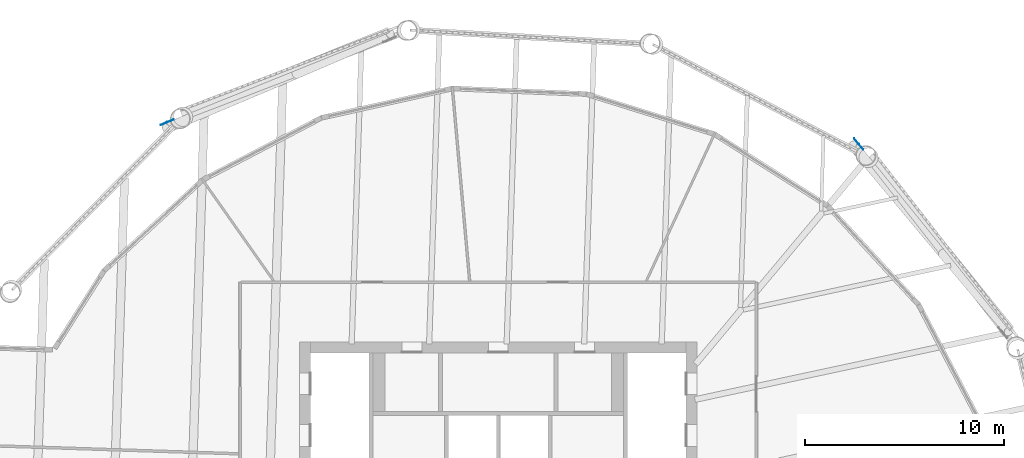
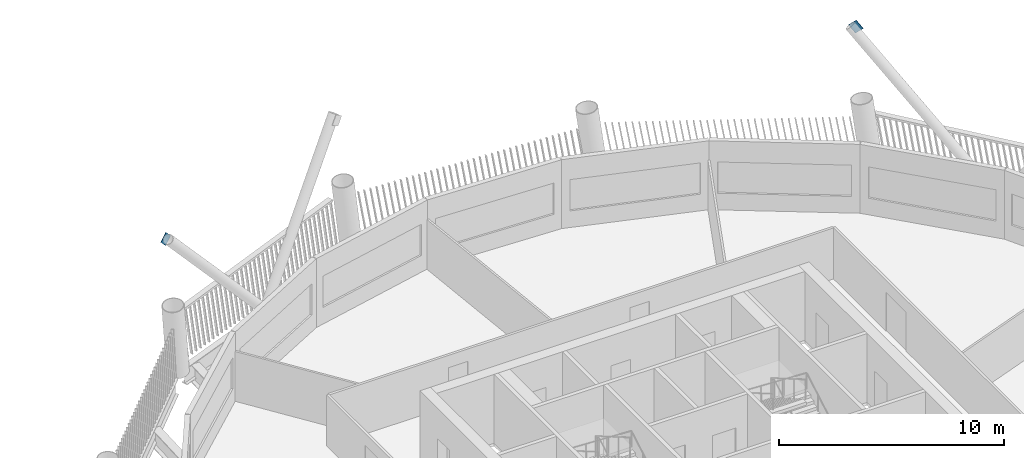
# One storey, part 9 of 21: 2 discrete accessories.
"""IFC4 building model written with IfcOpenShell, lengths in metres."""

from ifc_helpers import new_model, si_unit, direction, frame, origin, origin_2d, place, context, subcontext, project, spatial, rectangle, extrude, material, material_profile, profile_set, type_object, element, save


model = new_model("IFC4")

# Units and contexts
model_context = context("Model", 3, precision=1e-05, world=origin(), true_north=direction((0.0, 1.0)))
body_context = subcontext(model_context, "Body", "Model", "MODEL_VIEW")
ifc_project = project(units=[si_unit("LENGTHUNIT", "METRE"), si_unit("AREAUNIT", "SQUARE_METRE"), si_unit("VOLUMEUNIT", "CUBIC_METRE"), si_unit("PLANEANGLEUNIT", "RADIAN"), si_unit("MASSUNIT", "GRAM", prefix="KILO")], contexts=[model_context])

# Site, building, storey
site_placement = place(None, origin())
site = spatial("IfcSite", under=ifc_project, at=site_placement, CompositionType="ELEMENT")
building_placement = place(site_placement, origin())
building = spatial("IfcBuilding", under=site, at=building_placement, Name="Tarsis Ring Headquarters", CompositionType="ELEMENT")
storey_placement = place(building_placement, frame((0.0, 0.0, 278.60009765625)))
storey = spatial("IfcBuildingStorey", under=building, at=storey_placement, Name="L65", CompositionType="ELEMENT", Elevation=278.60009765625)

# Discrete accessories
ifc_material = material(Name="Structural steel S355", Category="steel")
ifc_material_profile = material_profile(ifc_material, rectangle(XDim=0.02490234375, YDim=0.5, at=origin_2d()), Name="PL 25x500")
ifc_profile_set = profile_set([ifc_material_profile], Name="Structural steel S355")
discrete_accessory_type = type_object("IfcDiscreteAccessoryType", Name="Gusset plate Exo brace 25", PredefinedType="BRACKET", material=ifc_profile_set)
for number, where, z_axis, x_axis, name in (
    (1, (18.040771484375, 23.0986328125, 7.7998046875), (0.431535591072, -0.517940341773, -0.738589761642), (0.768280629568, 0.640113172986, 0.0), "Gusset plate GP5"),
    (2, (-16.826171875, 23.997802734375, 7.7998046875), (0.621083014457, 0.261714226218, -0.738756761693), (-0.3883160894, 0.92152624201, 0.0), "Gusset plate GP5"),
):
    element("IfcDiscreteAccessory", number, at=place(storey_placement, frame(where, z_axis=z_axis, x_axis=x_axis)), inside=storey, type_object=discrete_accessory_type, Name=name, PredefinedType="BRACKET", context=body_context, shape_type="SweptSolid", body=[
        extrude(rectangle(XDim=0.02490234375, YDim=0.5, at=origin_2d()), origin(), (0.0, 0.0, 1.0), 0.5),
    ])

save(model, "model.ifc")
